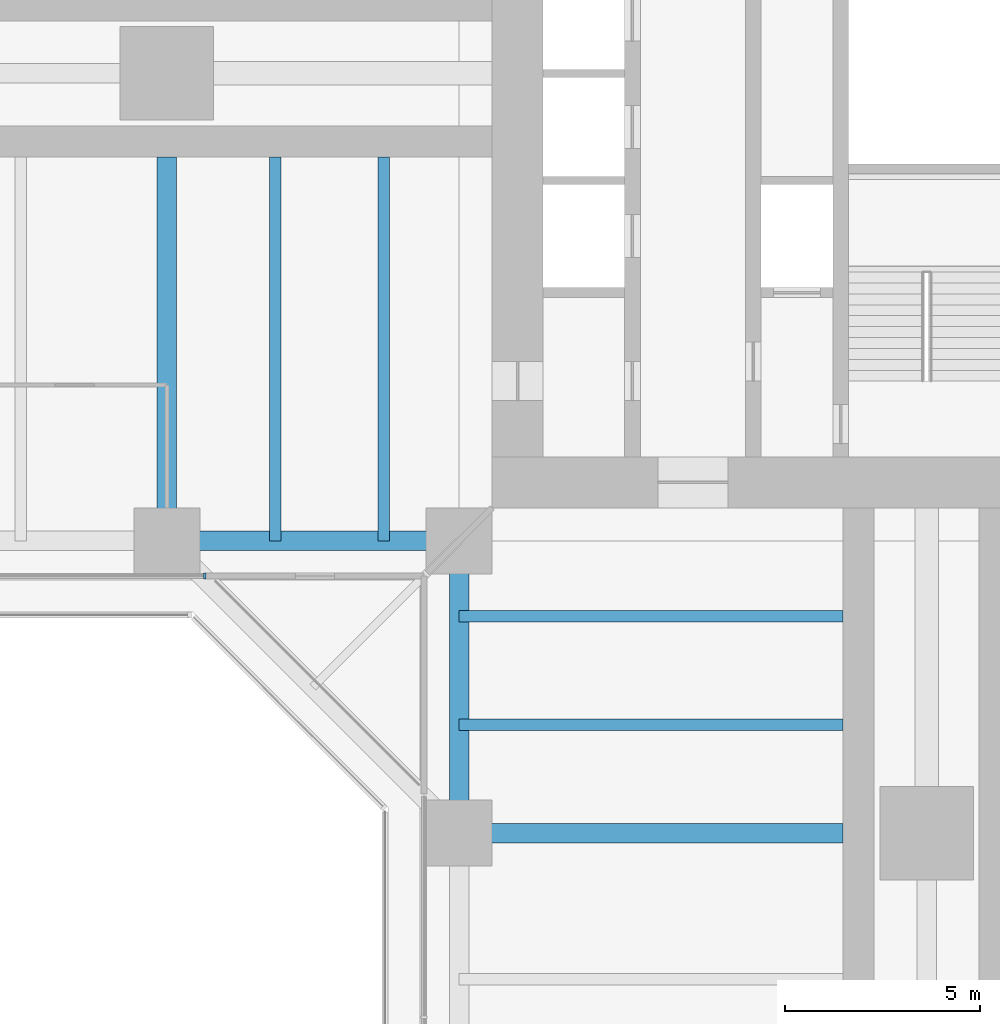
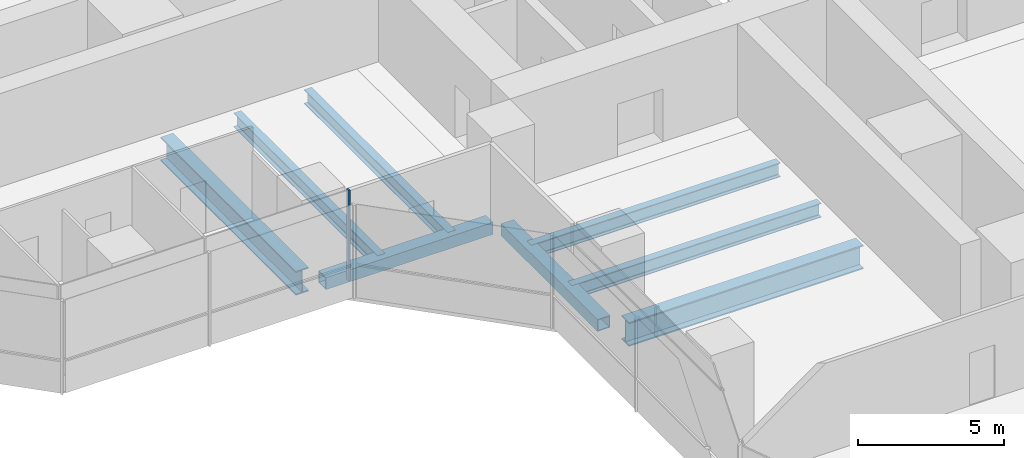
# One storey, part 4 of 22: 8 beams, 1 member, 1 element without a shape of its own.
"""IFC4 building model written with IfcOpenShell, lengths in metres."""

from ifc_helpers import new_model, si_unit, direction, frame, origin, origin_2d, place, context, subcontext, project, spatial, rectangle, hollow_rectangle, i_section, extrude, material, material_profile, profile_set, type_object, element, aggregate, save


model = new_model("IFC4")

# Units and contexts
model_context = context("Model", 3, precision=1e-05, world=origin(), true_north=direction((0.0, 1.0)))
body_context = subcontext(model_context, "Body", "Model", "MODEL_VIEW")
ifc_project = project(units=[si_unit("LENGTHUNIT", "METRE"), si_unit("AREAUNIT", "SQUARE_METRE"), si_unit("VOLUMEUNIT", "CUBIC_METRE"), si_unit("PLANEANGLEUNIT", "RADIAN"), si_unit("MASSUNIT", "GRAM", prefix="KILO")], contexts=[model_context])

# Site, building, storey
site_placement = place(None, origin())
site = spatial("IfcSite", under=ifc_project, at=site_placement, CompositionType="ELEMENT")
building_placement = place(site_placement, origin())
building = spatial("IfcBuilding", under=site, at=building_placement, Name="Mizan Broadcast Tower", CompositionType="ELEMENT")
storey_placement = place(building_placement, frame((0.0, 0.0, 70.800048828125)))
storey = spatial("IfcBuildingStorey", under=building, at=storey_placement, Name="L14", CompositionType="ELEMENT", Elevation=70.800048828125)

# Beams
ifc_material_1 = material(Name="Steel S355", Category="steel")
ifc_material_profile_1 = material_profile(ifc_material_1, hollow_rectangle(XDim=0.5, YDim=0.5, WallThickness=0.030029296875, at=origin_2d()), Name="BOX 500x500x30")
ifc_profile_set_1 = profile_set([ifc_material_profile_1], Name="Steel S355")
beam_type_1 = type_object("IfcBeamType", Name="EDGE BEAM BOX 500x500x30", PredefinedType="SPANDREL", material=ifc_profile_set_1)
for number, where, z_axis, x_axis, name in (
    (1, (-12.449951171875, -12.0, -0.380126953125), (-1.0, 0.0, 0.0), (0.0, -1.0, 0.0), "Edge beam BOX 500x500x30 L14 west arm"),
    (2, (-12.0, -12.449951171875, -0.380126953125), (0.0, -1.0, 0.0), (1.0, 0.0, 0.0), "Edge beam BOX 500x500x30 L14 south arm"),
):
    element("IfcBeam", number, at=place(storey_placement, frame(where, z_axis=z_axis, x_axis=x_axis)), inside=storey, type_object=beam_type_1, Name=name, PredefinedType="SPANDREL", context=body_context, shape_type="SweptSolid", body=[
        extrude(hollow_rectangle(XDim=0.5, YDim=0.5, WallThickness=0.030029296875, at=origin_2d()), origin(), (0.0, 0.0, 1.0), 6.60009765625),
    ])
ifc_material_2 = material(Name="Steel S460", Category="steel")
ifc_material_profile_2 = material_profile(ifc_material_2, i_section(OverallWidth=0.5, OverallDepth=1.0, WebThickness=0.02490234375, FlangeThickness=0.050048828125, at=origin_2d()), Name="WPG 1000x500")
ifc_profile_set_2 = profile_set([ifc_material_profile_2], Name="Steel S460")
beam_type_2 = type_object("IfcBeamType", Name="GIRDER WPG 1000x500", PredefinedType="BEAM", material=ifc_profile_set_2)
for number, where, z_axis, x_axis, name in (
    (3, (-19.5, -11.408935546875, -0.630126953125), (0.0, 1.0, 0.0), (-1.0, 0.0, 0.0), "Girder WPG 1000x500 L14 west arm"),
    (4, (-11.408935546875, -19.5, -0.630126953125), (1.0, 0.0, 0.0), (0.0, 1.0, 0.0), "Girder WPG 1000x500 L14 south arm"),
):
    element("IfcBeam", number, at=place(storey_placement, frame(where, z_axis=z_axis, x_axis=x_axis)), inside=storey, type_object=beam_type_2, Name=name, PredefinedType="BEAM", context=body_context, shape_type="SweptSolid", body=[
        extrude(i_section(OverallWidth=0.5, OverallDepth=1.0, WebThickness=0.02490234375, FlangeThickness=0.050048828125, at=origin_2d()), origin(), (0.0, 0.0, 1.0), 9.259033203125),
    ])

# Curtain wall, member
ifc_material_3 = material(Name="Aluminium framed glazing", Category="aluminium")
curtain_wall_type = type_object("IfcCurtainWallType", Name="INNER SKIN LOW ZONE", PredefinedType="USERDEFINED", material=ifc_material_3)
curtain_wall_placement = place(storey_placement, origin())
curtain_wall = element("IfcCurtainWall", 5, at=curtain_wall_placement, inside=storey, type_object=curtain_wall_type, Name="Inner skin low zone L14 W side", ObjectType="INNER SKIN LOW ZONE", PredefinedType="USERDEFINED")
ifc_material_4 = material(Name="Aluminium, pale anodised", Category="aluminium")
ifc_material_profile_3 = material_profile(ifc_material_4, rectangle(XDim=0.159912109375, YDim=0.06005859375, at=origin_2d()), Name="MULLION 160x60")
ifc_profile_set_3 = profile_set([ifc_material_profile_3], Name="Aluminium, pale anodised")
member_type = type_object("IfcMemberType", Name="INNER SKIN MULLION 60x160", PredefinedType="MULLION", material=ifc_profile_set_3)
member_placement = place(storey_placement, frame((-18.530029296875, -12.89990234375, 0.0), z_axis=(0.0, 0.0, 1.0), x_axis=(0.0, 1.0, 0.0)))
member = element("IfcMember", 6, at=member_placement, type_object=member_type, Name="Inner skin low zone L14 W side mullion 3", PredefinedType="MULLION", context=body_context, shape_type="SweptSolid", body=[
    extrude(rectangle(XDim=0.159912109375, YDim=0.06005859375, at=origin_2d()), origin(), (0.0, 0.0, 1.0), 3.77001953125),
])
aggregate(curtain_wall, [member])

# Beams
ifc_material_5 = material(Name="Steel S355", Category="steel")
ifc_material_profile_4 = material_profile(ifc_material_5, i_section(OverallWidth=0.300048828125, OverallDepth=0.590087890625, WebThickness=0.012939453125, FlangeThickness=0.02490234375, FilletRadius=0.027099609375, at=origin_2d()), Name="HEA 600")
ifc_profile_set_4 = profile_set([ifc_material_profile_4], Name="Steel S355")
beam_type_3 = type_object("IfcBeamType", Name="SECONDARY BEAM HEA 600", PredefinedType="JOIST", material=ifc_profile_set_4)
for number, where, z_axis, x_axis, name in (
    (7, (-13.933349609375, -12.0, -0.425048828125), (0.0, 1.0, 0.0), (-1.0, 0.0, 0.0), "Secondary beam HEA 600 L14 west arm"),
    (8, (-16.716552734375, -12.0, -0.425048828125), (0.0, 1.0, 0.0), (-1.0, 0.0, 0.0), "Secondary beam HEA 600 L14 west arm"),
    (9, (-12.0, -13.933349609375, -0.425048828125), (1.0, 0.0, 0.0), (0.0, 1.0, 0.0), "Secondary beam HEA 600 L14 south arm"),
    (10, (-12.0, -16.716552734375, -0.425048828125), (1.0, 0.0, 0.0), (0.0, 1.0, 0.0), "Secondary beam HEA 600 L14 south arm"),
):
    element("IfcBeam", number, at=place(storey_placement, frame(where, z_axis=z_axis, x_axis=x_axis)), inside=storey, type_object=beam_type_3, Name=name, PredefinedType="JOIST", context=body_context, shape_type="SweptSolid", body=[
        extrude(i_section(OverallWidth=0.300048828125, OverallDepth=0.590087890625, WebThickness=0.012939453125, FlangeThickness=0.02490234375, FilletRadius=0.027099609375, at=origin_2d()), origin(), (0.0, 0.0, 1.0), 9.85009765625),
    ])

save(model, "model.ifc")
